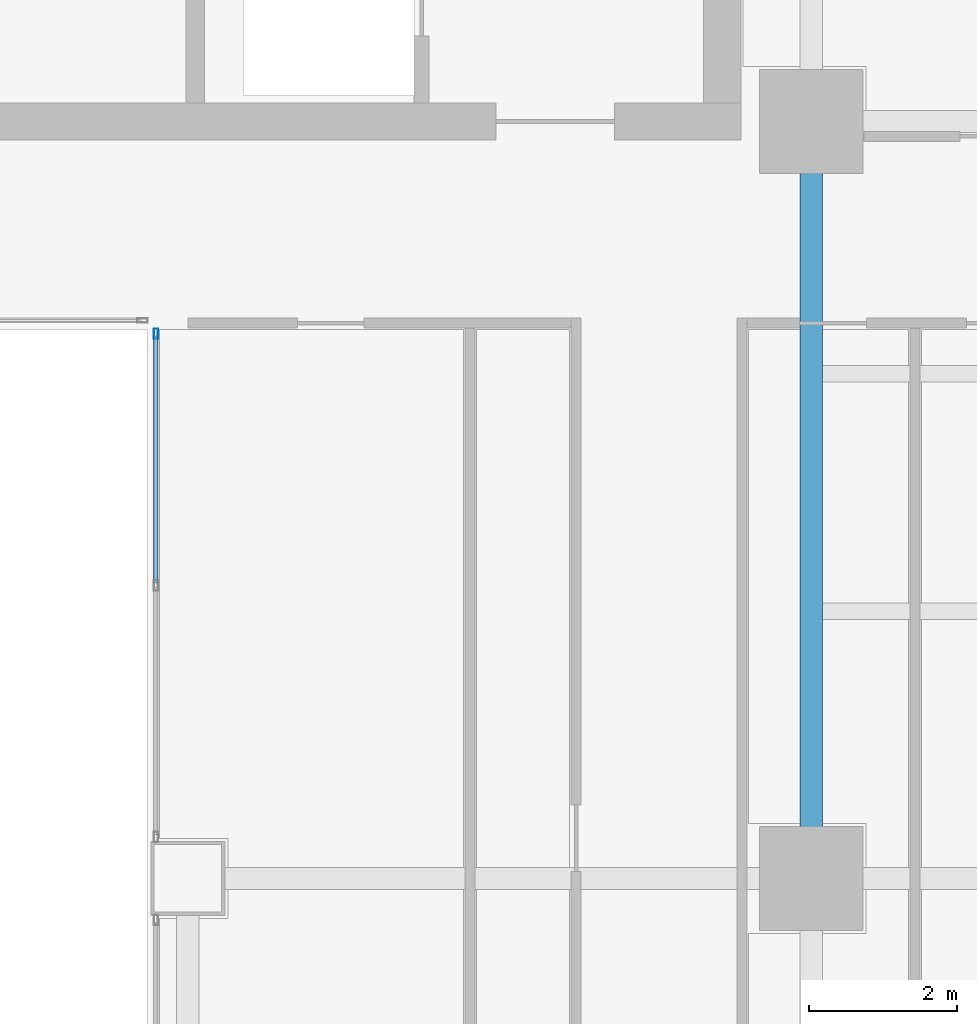
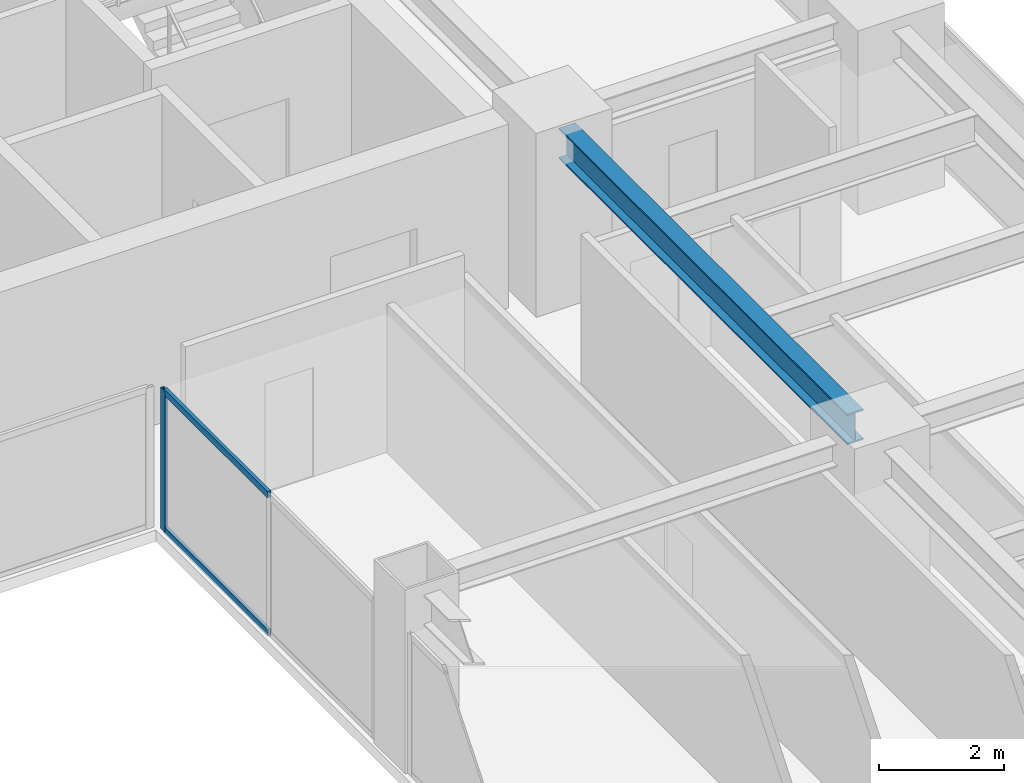
# One storey, part 16 of 30: 3 members, 1 beam, 1 element without a shape of its own.
"""IFC4 building model written with IfcOpenShell, lengths in metres."""

from ifc_helpers import new_model, si_unit, direction, frame, origin, origin_2d, place, context, subcontext, project, spatial, hollow_rectangle, i_section, extrude, source, transform, mapped, material, layer, layer_set, material_profile, profile_set, type_object, element, aggregate, save


model = new_model("IFC4")

# Units and contexts
model_context = context("Model", 3, precision=1e-05, world=origin(), true_north=direction((0.0, 1.0)))
body_context = subcontext(model_context, "Body", "Model", "MODEL_VIEW")
ifc_project = project(units=[si_unit("LENGTHUNIT", "METRE"), si_unit("AREAUNIT", "SQUARE_METRE"), si_unit("VOLUMEUNIT", "CUBIC_METRE"), si_unit("PLANEANGLEUNIT", "RADIAN"), si_unit("MASSUNIT", "GRAM", prefix="KILO")], contexts=[model_context])

# Site, building, storey
site_placement = place(None, origin())
site = spatial("IfcSite", under=ifc_project, at=site_placement, CompositionType="ELEMENT")
building_placement = place(site_placement, origin())
building = spatial("IfcBuilding", under=site, at=building_placement, Name="Sumidabori Civic Tower", CompositionType="ELEMENT")
storey_placement = place(building_placement, frame((0.0, 0.0, 200.0)))
storey = spatial("IfcBuildingStorey", under=building, at=storey_placement, Name="L51", CompositionType="ELEMENT", Elevation=200.0)

# Beam
ifc_material_1 = material(Name="Steel SN490", Category="steel")
ifc_material_profile_1 = material_profile(ifc_material_1, i_section(OverallWidth=0.300048828125, OverallDepth=0.60009765625, WebThickness=0.015380859375, FlangeThickness=0.030029296875, at=origin_2d()), Name="HE 600 B")
ifc_profile_set_1 = profile_set([ifc_material_profile_1], Name="Steel SN490")
beam_type = type_object("IfcBeamType", Name="BM-GIRD-600", PredefinedType="BEAM", material=ifc_profile_set_1)
shared_shape_1 = source(origin(), body_context, "Body", "SweptSolid", [
    extrude(i_section(OverallWidth=0.300048828125, OverallDepth=0.60009765625, WebThickness=0.015380859375, FlangeThickness=0.030029296875, at=origin_2d()), origin(), (0.0, 0.0, 1.0), 9.239990234375),
])
beam_placement = place(storey_placement, frame((16.800048828125, 0.47998046875, 3.080078125), z_axis=(0.0, 1.0, 0.0), x_axis=(-1.0, 0.0, 0.0)))
element("IfcBeam", 1, at=beam_placement, inside=storey, type_object=beam_type, Name="Primary Girder L51 GY-20", PredefinedType="BEAM", context=body_context, shape_type="MappedRepresentation", body=[
    mapped(shared_shape_1, transform((0.0, 0.0, 0.0), x_axis=(1.0, 0.0, 0.0), y_axis=(0.0, 1.0, 0.0), z_axis=(0.0, 0.0, 1.0), scale=1.0)),
])

# Curtain wall, members
ifc_material_2 = material(Name="Anodised Bronze Aluminium AW-6063-T6", Category="aluminium")
ifc_layer = layer(ifc_material_2, 0.179931640625, Name="Anodised Bronze Aluminium AW-6063-T6")
ifc_layer_set = layer_set([ifc_layer], Name="Anodised Bronze Aluminium AW-6063-T6")
curtain_wall_type = type_object("IfcCurtainWallType", Name="CW-SYS-4", PredefinedType="NOTDEFINED", material=ifc_layer_set)
curtain_wall_placement = place(storey_placement, origin())
curtain_wall = element("IfcCurtainWall", 2, at=curtain_wall_placement, inside=storey, type_object=curtain_wall_type, Name="Curtain Wall CW:L51:R06", PredefinedType="NOTDEFINED")
ifc_material_profile_2 = material_profile(ifc_material_2, hollow_rectangle(XDim=0.06005859375, YDim=0.139892578125, WallThickness=0.0048828125, at=origin_2d()), Name="ALU MULLION 140x60")
ifc_profile_set_2 = profile_set([ifc_material_profile_2], Name="Anodised Bronze Aluminium AW-6063-T6")
member_type_1 = type_object("IfcMemberType", Name="CW-MUL-140", PredefinedType="MULLION", material=ifc_profile_set_2)
shared_shape_2 = source(origin(), body_context, "Body", "SweptSolid", [
    extrude(hollow_rectangle(XDim=0.06005859375, YDim=0.139892578125, WallThickness=0.0048828125, at=origin_2d()), origin(), (0.0, 0.0, 1.0), 2.760009765625),
])
member_1_placement = place(storey_placement, frame((7.969970703125, 7.340087890625, 0.0), z_axis=(0.0, 0.0, 1.0), x_axis=(1.0, 0.0, 0.0)))
member_1 = element("IfcMember", 3, at=member_1_placement, type_object=member_type_1, Name="CW-4 mullion 1", PredefinedType="MULLION", context=body_context, shape_type="MappedRepresentation", body=[
    mapped(shared_shape_2, transform((0.0, 0.0, 0.0), x_axis=(1.0, 0.0, 0.0), y_axis=(0.0, 1.0, 0.0), z_axis=(0.0, 0.0, 1.0), scale=1.0)),
])
ifc_material_profile_3 = material_profile(ifc_material_2, hollow_rectangle(XDim=0.06005859375, YDim=0.1298828125, WallThickness=0.0048828125, at=origin_2d()), Name="ALU TRANSOM 130x60")
ifc_profile_set_3 = profile_set([ifc_material_profile_3], Name="Anodised Bronze Aluminium AW-6063-T6")
member_type_2 = type_object("IfcMemberType", Name="CW-TRN-130", PredefinedType="USERDEFINED", material=ifc_profile_set_3)
shared_shape_3 = source(origin(), body_context, "Body", "SweptSolid", [
    extrude(hollow_rectangle(XDim=0.06005859375, YDim=0.1298828125, WallThickness=0.0048828125, at=origin_2d()), origin(), (0.0, 0.0, 1.0), 3.330078125),
])
member_2_placement = place(storey_placement, frame((7.969970703125, 7.31005859375, 0.030029296875), z_axis=(0.0, -1.0, 0.0), x_axis=(1.0, 0.0, 0.0)))
member_2 = element("IfcMember", 4, at=member_2_placement, type_object=member_type_2, Name="CW-4 transom 1.1", ObjectType="TRANSOM", PredefinedType="USERDEFINED", context=body_context, shape_type="MappedRepresentation", body=[
    mapped(shared_shape_3, transform((0.0, 0.0, 0.0), x_axis=(1.0, 0.0, 0.0), y_axis=(0.0, 1.0, 0.0), z_axis=(0.0, 0.0, 1.0), scale=1.0)),
])
member_3_placement = place(storey_placement, frame((7.969970703125, 7.31005859375, 2.72998046875), z_axis=(0.0, -1.0, 0.0), x_axis=(1.0, 0.0, 0.0)))
member_3 = element("IfcMember", 5, at=member_3_placement, type_object=member_type_2, Name="CW-4 transom 1.2", ObjectType="TRANSOM", PredefinedType="USERDEFINED", context=body_context, shape_type="MappedRepresentation", body=[
    mapped(shared_shape_3, transform((0.0, 0.0, 0.0), x_axis=(1.0, 0.0, 0.0), y_axis=(0.0, 1.0, 0.0), z_axis=(0.0, 0.0, 1.0), scale=1.0)),
])
aggregate(curtain_wall, [member_1, member_2, member_3])

save(model, "model.ifc")
